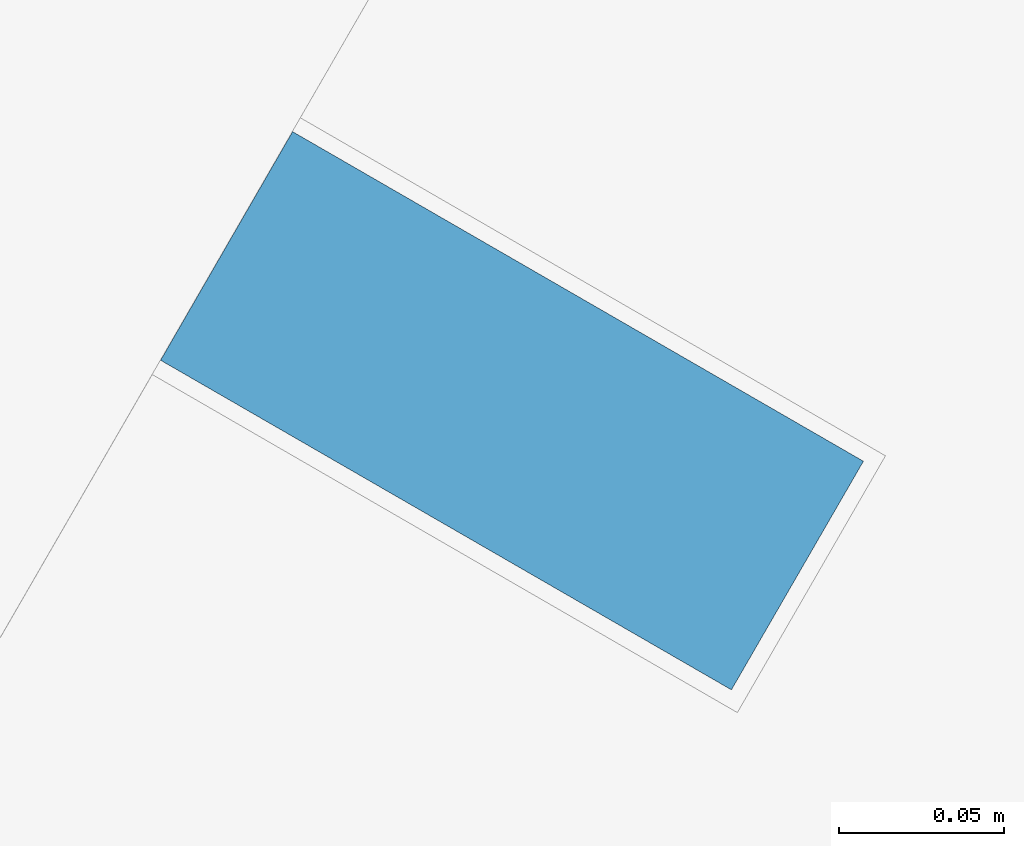
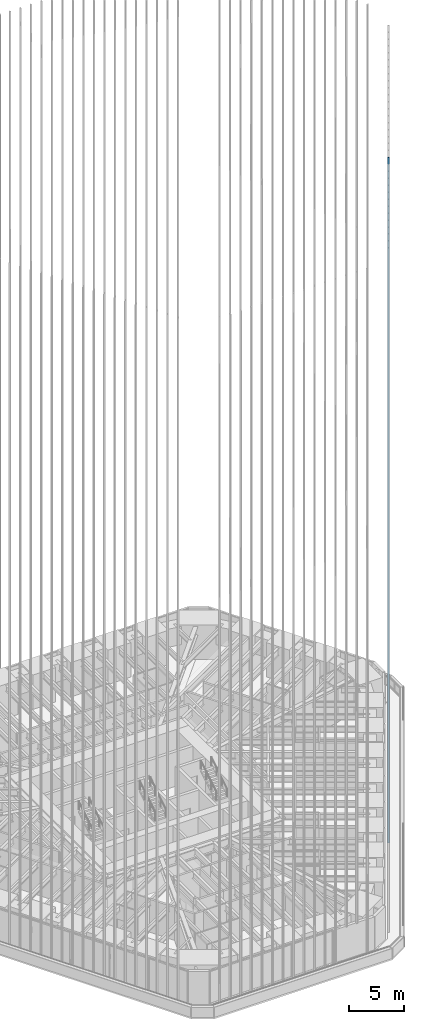
# One storey, part 91 of 238: 1 member, 1 element without a shape of its own.
"""IFC4 building model written with IfcOpenShell, lengths in metres."""

from ifc_helpers import new_model, si_unit, direction, frame, origin, origin_2d, place, context, subcontext, project, spatial, rectangle, extrude, material, material_profile, profile_set, type_object, element, aggregate, save


model = new_model("IFC4")

# Units and contexts
model_context = context("Model", 3, precision=1e-05, world=origin(), true_north=direction((0.0, 1.0)))
body_context = subcontext(model_context, "Body", "Model", "MODEL_VIEW")
ifc_project = project(units=[si_unit("LENGTHUNIT", "METRE"), si_unit("AREAUNIT", "SQUARE_METRE"), si_unit("VOLUMEUNIT", "CUBIC_METRE"), si_unit("PLANEANGLEUNIT", "RADIAN"), si_unit("MASSUNIT", "GRAM", prefix="KILO")], contexts=[model_context])

# Site, building, storey
site_placement = place(None, origin())
site = spatial("IfcSite", under=ifc_project, at=site_placement, CompositionType="ELEMENT")
building_placement = place(site_placement, origin())
building = spatial("IfcBuilding", under=site, at=building_placement, Name="Sandreach Pilgrim Tower", CompositionType="ELEMENT")
storey_placement = place(building_placement, frame((0.0, 0.0, 96.800048828125)))
storey = spatial("IfcBuildingStorey", under=building, at=storey_placement, Name="L23", CompositionType="ELEMENT", Elevation=96.800048828125)

# Curtain wall, member
ifc_material_1 = material(Name="Aluminium framed curtain wall", Category="aluminium")
curtain_wall_type = type_object("IfcCurtainWallType", Name="Hotel tower curtain wall", PredefinedType="NOTDEFINED", material=ifc_material_1)
curtain_wall_placement = place(storey_placement, origin())
curtain_wall = element("IfcCurtainWall", 1, at=curtain_wall_placement, inside=storey, type_object=curtain_wall_type, Name="CW-2 L23 SE", PredefinedType="NOTDEFINED")
ifc_material_2 = material(Name="Extruded terracotta on aluminium core", Category="masonry")
ifc_material_profile = material_profile(ifc_material_2, rectangle(XDim=0.080078125, YDim=0.199951171875, at=origin_2d()), Name="TBE 80X200")
ifc_profile_set = profile_set([ifc_material_profile], Name="Extruded terracotta on aluminium core")
member_type = type_object("IfcMemberType", Name="Terracotta baguette east", PredefinedType="USERDEFINED", material=ifc_profile_set)
member_placement = place(storey_placement, frame((18.175537109375, -14.306640625, 0.0), z_axis=(0.0, 0.0, 1.0), x_axis=(-0.5, -0.866025403784, 0.0)))
member = element("IfcMember", 2, at=member_placement, type_object=member_type, Name="Baguette Z2 SE20", ObjectType="BAGUETTE", PredefinedType="USERDEFINED", context=body_context, shape_type="SweptSolid", body=[
    extrude(rectangle(XDim=0.080078125, YDim=0.199951171875, at=origin_2d()), origin(), (0.0, 0.0, 1.0), 75.83984375),
])
aggregate(curtain_wall, [member])

save(model, "model.ifc")
